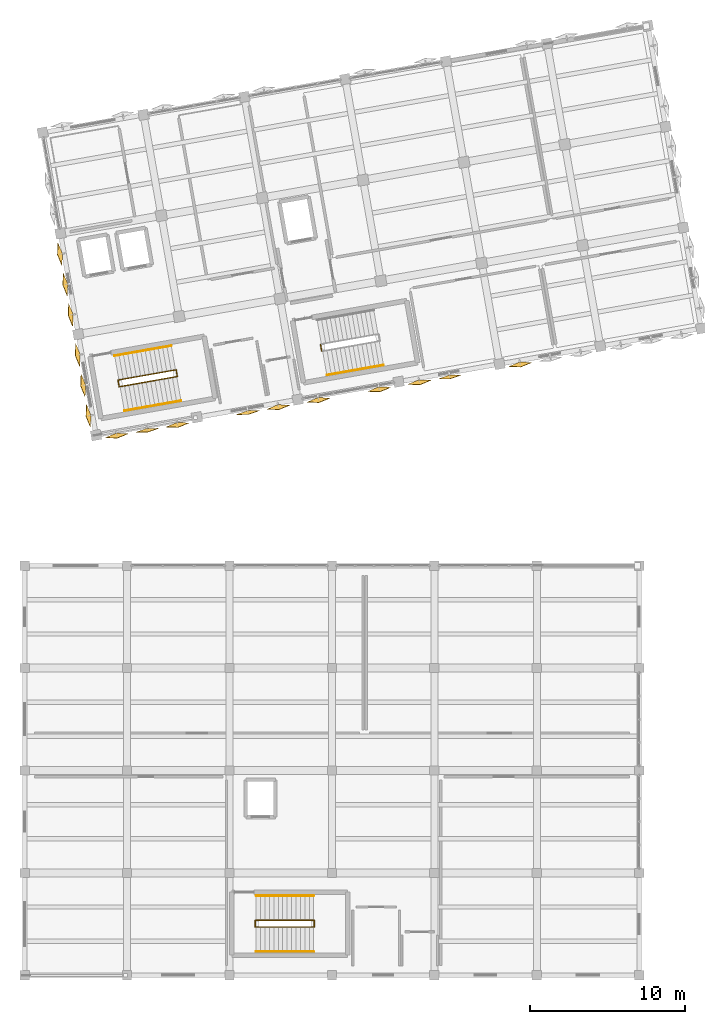
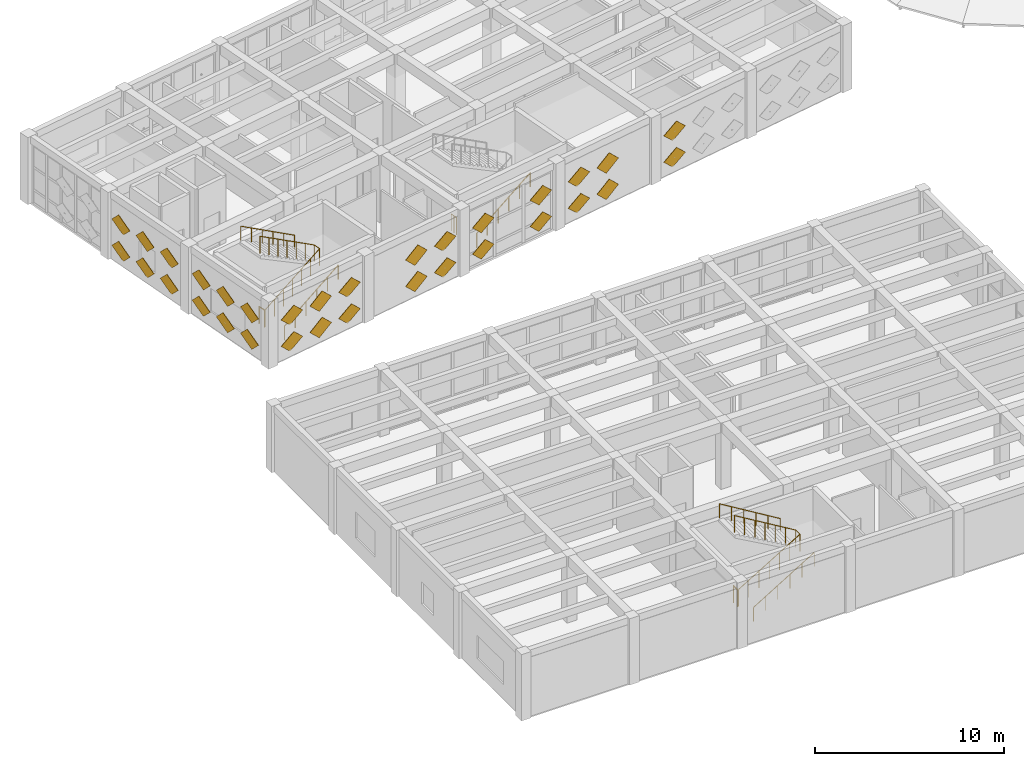
# One storey, part 64 of 67: 32 coverings, 10 railings.
"""IFC4 building model written with IfcOpenShell, lengths in metres."""

from ifc_helpers import new_model, si_unit, direction, frame, origin, origin_2d, place, context, subcontext, project, spatial, polyline, circle, outline, extrude, material, type_object, element, save


model = new_model("IFC4")

# Units and contexts
model_context = context("Model", 3, precision=1e-05, world=origin(), true_north=direction((0.0, 1.0)))
body_context = subcontext(model_context, "Body", "Model", "MODEL_VIEW")
ifc_project = project(units=[si_unit("LENGTHUNIT", "METRE"), si_unit("AREAUNIT", "SQUARE_METRE"), si_unit("VOLUMEUNIT", "CUBIC_METRE"), si_unit("PLANEANGLEUNIT", "RADIAN"), si_unit("MASSUNIT", "GRAM", prefix="KILO")], contexts=[model_context])

# Site, building, storey
site_placement = place(None, origin())
site = spatial("IfcSite", under=ifc_project, at=site_placement, CompositionType="ELEMENT")
building_placement = place(site_placement, origin())
building = spatial("IfcBuilding", under=site, at=building_placement, Name="Kharisveld Research Institute", CompositionType="ELEMENT")
storey_placement = place(building_placement, frame((0.0, 0.0, 9.60009765625)))
storey = spatial("IfcBuildingStorey", under=building, at=storey_placement, Name="L02", CompositionType="ELEMENT", Elevation=9.60009765625)

# Railings
ifc_material_1 = material(Name="Steel S355JR", Category="steel")
railing_type_1 = type_object("IfcRailingType", Name="RL_GRD_STR", PredefinedType="GUARDRAIL", material=ifc_material_1)
railing_1_placement = place(storey_placement, frame((6.75048828125, 38.13671875, 0.0)))
element("IfcRailing", 1, at=railing_1_placement, inside=storey, type_object=railing_type_1, Name="RLG:ST1:L02:GRD_SLOT", PredefinedType="GUARDRAIL", context=body_context, shape_type="SweptSolid", body=[
    extrude(circle(Radius=0.02392578125, at=origin_2d()), frame((0.0, 0.0, 1.09619140625), z_axis=(0.84417332575, 0.148863291176, 0.514986520826), x_axis=(-0.173662611611, 0.984805207809, 0.0)), (0.0, 0.0, 1.0), 4.369140625),
    extrude(circle(Radius=0.02392578125, at=origin_2d()), frame((3.688232421875, 0.650390625, 3.34619140625), z_axis=(-0.173658729201, 0.984805892434, 0.0), x_axis=(-0.984805892434, -0.173658729201, 0.0)), (0.0, 0.0, 1.0), 0.43994140625),
    extrude(circle(Radius=0.02392578125, at=origin_2d()), frame((3.61181640625, 1.083740234375, 3.34619140625), z_axis=(-0.844157266411, -0.148870313632, 0.515010814726), x_axis=(0.173673761132, -0.984803241614, 0.0)), (0.0, 0.0, 1.0), 4.368896484375),
    extrude(circle(Radius=0.02099609375, at=origin_2d()), origin(), (0.0, 0.0, 1.0), 1.072021484375),
    extrude(circle(Radius=0.02099609375, at=origin_2d()), frame((0.61474609375, 0.1083984375, 0.375)), (0.0, 0.0, 1.0), 1.072021484375),
    extrude(circle(Radius=0.02099609375, at=origin_2d()), frame((1.2294921875, 0.216796875, 0.75)), (0.0, 0.0, 1.0), 1.072021484375),
    extrude(circle(Radius=0.02099609375, at=origin_2d()), frame((1.84423828125, 0.3251953125, 1.125)), (0.0, 0.0, 1.0), 1.072021484375),
    extrude(circle(Radius=0.02099609375, at=origin_2d()), frame((2.458740234375, 0.43359375, 1.5)), (0.0, 0.0, 1.0), 1.072021484375),
    extrude(circle(Radius=0.02099609375, at=origin_2d()), frame((3.073486328125, 0.5419921875, 1.875)), (0.0, 0.0, 1.0), 1.072021484375),
    extrude(circle(Radius=0.02099609375, at=origin_2d()), frame((3.688232421875, 0.650390625, 2.25)), (0.0, 0.0, 1.0), 1.072021484375),
    extrude(circle(Radius=0.02099609375, at=origin_2d()), frame((3.61181640625, 1.083740234375, 2.25)), (0.0, 0.0, 1.0), 1.072021484375),
    extrude(circle(Radius=0.02099609375, at=origin_2d()), frame((2.9970703125, 0.975341796875, 2.625)), (0.0, 0.0, 1.0), 1.072021484375),
    extrude(circle(Radius=0.02099609375, at=origin_2d()), frame((2.382568359375, 0.866943359375, 3.0)), (0.0, 0.0, 1.0), 1.072021484375),
    extrude(circle(Radius=0.02099609375, at=origin_2d()), frame((1.767822265625, 0.758544921875, 3.375)), (0.0, 0.0, 1.0), 1.072021484375),
    extrude(circle(Radius=0.02099609375, at=origin_2d()), frame((1.153076171875, 0.650146484375, 3.75)), (0.0, 0.0, 1.0), 1.072021484375),
    extrude(circle(Radius=0.02099609375, at=origin_2d()), frame((0.53857421875, 0.541748046875, 4.125)), (0.0, 0.0, 1.0), 1.072021484375),
    extrude(circle(Radius=0.02099609375, at=origin_2d()), frame((-0.076171875, 0.433349609375, 4.5)), (0.0, 0.0, 1.0), 1.072021484375),
])
railing_2_placement = place(storey_placement, frame((6.69140625, 38.12646484375, 0.0)))
element("IfcRailing", 2, at=railing_2_placement, inside=storey, type_object=railing_type_1, Name="RLG:ST1:L02:GRD_FLRSLOT", PredefinedType="GUARDRAIL", context=body_context, shape_type="SweptSolid", body=[
    extrude(circle(Radius=0.02392578125, at=origin_2d()), frame((0.0, 0.0, 1.09619140625), z_axis=(-0.173753665698, 0.984789146801, 0.0), x_axis=(-0.984789146801, -0.173753665698, 0.0)), (0.0, 0.0, 1.0), 0.439697265625),
    extrude(circle(Radius=0.02099609375, at=origin_2d()), origin(), (0.0, 0.0, 1.0), 1.072021484375),
    extrude(circle(Radius=0.02099609375, at=origin_2d()), frame((-0.076416015625, 0.43310546875, 0.0)), (0.0, 0.0, 1.0), 1.072021484375),
])
railing_3_placement = place(storey_placement, frame((19.740234375, 40.42724609375, 0.0)))
element("IfcRailing", 3, at=railing_3_placement, inside=storey, type_object=railing_type_1, Name="RLG:ST2:L02:GRD_FLRSLOT", PredefinedType="GUARDRAIL", context=body_context, shape_type="SweptSolid", body=[
    extrude(circle(Radius=0.02392578125, at=origin_2d()), frame((0.0, 0.0, 1.09619140625), z_axis=(-0.173658729201, 0.984805892434, 0.0), x_axis=(-0.984805892434, -0.173658729201, 0.0)), (0.0, 0.0, 1.0), 0.43994140625),
    extrude(circle(Radius=0.02099609375, at=origin_2d()), origin(), (0.0, 0.0, 1.0), 1.072021484375),
    extrude(circle(Radius=0.02099609375, at=origin_2d()), frame((-0.0380859375, 0.216796875, 0.0)), (0.0, 0.0, 1.0), 1.072021484375),
    extrude(circle(Radius=0.02099609375, at=origin_2d()), frame((-0.076416015625, 0.433349609375, 0.0)), (0.0, 0.0, 1.0), 1.072021484375),
])
railing_4_placement = place(storey_placement, frame((15.52001953125, 3.31005859375, 0.0)))
element("IfcRailing", 4, at=railing_4_placement, inside=storey, type_object=railing_type_1, Name="RLG:ST4:L02:GRD_SLOT", PredefinedType="GUARDRAIL", context=body_context, shape_type="SweptSolid", body=[
    extrude(circle(Radius=0.02392578125, at=origin_2d()), frame((0.0, 0.0, 1.09619140625), z_axis=(0.857182128291, 0.0, 0.515013396853), x_axis=(0.0, 1.0, 0.0)), (0.0, 0.0, 1.0), 4.368896484375),
    extrude(circle(Radius=0.02392578125, at=origin_2d()), frame((3.744873046875, 0.0, 3.34619140625), z_axis=(0.0, 1.0, 0.0), x_axis=(-1.0, 0.0, 0.0)), (0.0, 0.0, 1.0), 0.43994140625),
    extrude(circle(Radius=0.02392578125, at=origin_2d()), frame((3.744873046875, 0.43994140625, 3.34619140625), z_axis=(-0.857182128291, 0.0, 0.515013396853), x_axis=(0.0, -1.0, 0.0)), (0.0, 0.0, 1.0), 4.368896484375),
    extrude(circle(Radius=0.02099609375, at=origin_2d()), origin(), (0.0, 0.0, 1.0), 1.072021484375),
    extrude(circle(Radius=0.02099609375, at=origin_2d()), frame((0.6240234375, 0.0, 0.375)), (0.0, 0.0, 1.0), 1.072021484375),
    extrude(circle(Radius=0.02099609375, at=origin_2d()), frame((1.248291015625, 0.0, 0.75)), (0.0, 0.0, 1.0), 1.072021484375),
    extrude(circle(Radius=0.02099609375, at=origin_2d()), frame((1.87255859375, 0.0, 1.125)), (0.0, 0.0, 1.0), 1.072021484375),
    extrude(circle(Radius=0.02099609375, at=origin_2d()), frame((2.49658203125, 0.0, 1.5)), (0.0, 0.0, 1.0), 1.072021484375),
    extrude(circle(Radius=0.02099609375, at=origin_2d()), frame((3.12060546875, 0.0, 1.875)), (0.0, 0.0, 1.0), 1.072021484375),
    extrude(circle(Radius=0.02099609375, at=origin_2d()), frame((3.744873046875, 0.0, 2.25)), (0.0, 0.0, 1.0), 1.072021484375),
    extrude(circle(Radius=0.02099609375, at=origin_2d()), frame((3.744873046875, 0.43994140625, 2.25)), (0.0, 0.0, 1.0), 1.072021484375),
    extrude(circle(Radius=0.02099609375, at=origin_2d()), frame((3.12060546875, 0.43994140625, 2.625)), (0.0, 0.0, 1.0), 1.072021484375),
    extrude(circle(Radius=0.02099609375, at=origin_2d()), frame((2.49658203125, 0.43994140625, 3.0)), (0.0, 0.0, 1.0), 1.072021484375),
    extrude(circle(Radius=0.02099609375, at=origin_2d()), frame((1.87255859375, 0.43994140625, 3.375)), (0.0, 0.0, 1.0), 1.072021484375),
    extrude(circle(Radius=0.02099609375, at=origin_2d()), frame((1.248291015625, 0.43994140625, 3.75)), (0.0, 0.0, 1.0), 1.072021484375),
    extrude(circle(Radius=0.02099609375, at=origin_2d()), frame((0.6240234375, 0.43994140625, 4.125)), (0.0, 0.0, 1.0), 1.072021484375),
    extrude(circle(Radius=0.02099609375, at=origin_2d()), frame((0.0, 0.43994140625, 4.5)), (0.0, 0.0, 1.0), 1.072021484375),
])
railing_5_placement = place(storey_placement, frame((15.4599609375, 3.31005859375, 0.0)))
element("IfcRailing", 5, at=railing_5_placement, inside=storey, type_object=railing_type_1, Name="RLG:ST4:L02:GRD_FLRSLOT", PredefinedType="GUARDRAIL", context=body_context, shape_type="SweptSolid", body=[
    extrude(circle(Radius=0.02392578125, at=origin_2d()), frame((0.0, 0.0, 1.09619140625), z_axis=(0.0, 1.0, 0.0), x_axis=(-1.0, 0.0, 0.0)), (0.0, 0.0, 1.0), 0.43994140625),
    extrude(circle(Radius=0.02099609375, at=origin_2d()), origin(), (0.0, 0.0, 1.0), 1.072021484375),
    extrude(circle(Radius=0.02099609375, at=origin_2d()), frame((0.0, 0.43994140625, 0.0)), (0.0, 0.0, 1.0), 1.072021484375),
])
ifc_material_2 = material(Name="Stainless Steel 316", Category="steel")
railing_type_2 = type_object("IfcRailingType", Name="RL_HND_STR", PredefinedType="HANDRAIL", material=ifc_material_2)
railing_6_placement = place(storey_placement, frame((7.02490234375, 36.580810546875, 0.0)))
element("IfcRailing", 6, at=railing_6_placement, inside=storey, type_object=railing_type_2, Name="RLG:ST1:L02:HR1", PredefinedType="HANDRAIL", context=body_context, shape_type="SweptSolid", body=[
    extrude(circle(Radius=0.02392578125, at=origin_2d()), frame((0.0, 0.0, 0.89599609375), z_axis=(0.841746897377, 0.148411045473, 0.519072559801), x_axis=(-0.173634966033, 0.984810082488, 0.0)), (0.0, 0.0, 1.0), 4.334716796875),
    extrude(circle(Radius=0.02099609375, at=origin_2d()), origin(), (0.0, 0.0, 1.0), 0.871826171875),
    extrude(circle(Radius=0.02099609375, at=origin_2d()), frame((0.729736328125, 0.128662109375, 0.449951171875)), (0.0, 0.0, 1.0), 0.871826171875),
    extrude(circle(Radius=0.02099609375, at=origin_2d()), frame((1.45947265625, 0.25732421875, 0.89990234375)), (0.0, 0.0, 1.0), 0.871826171875),
    extrude(circle(Radius=0.02099609375, at=origin_2d()), frame((2.189208984375, 0.385986328125, 1.35009765625)), (0.0, 0.0, 1.0), 0.871826171875),
    extrude(circle(Radius=0.02099609375, at=origin_2d()), frame((2.9189453125, 0.5146484375, 1.800048828125)), (0.0, 0.0, 1.0), 0.871826171875),
    extrude(circle(Radius=0.02099609375, at=origin_2d()), frame((3.648681640625, 0.643310546875, 2.25)), (0.0, 0.0, 1.0), 0.871826171875),
])
railing_7_placement = place(storey_placement, frame((10.048583984375, 40.76953125, 2.25)))
element("IfcRailing", 7, at=railing_7_placement, inside=storey, type_object=railing_type_2, Name="RLG:ST1:L02:HR2", PredefinedType="HANDRAIL", context=body_context, shape_type="SweptSolid", body=[
    extrude(circle(Radius=0.02392578125, at=origin_2d()), frame((0.0, 0.0, 0.89599609375), z_axis=(-0.841739860008, -0.148466127198, 0.519068220129), x_axis=(0.173698873865, -0.984798812559, 0.0)), (0.0, 0.0, 1.0), 4.334716796875),
    extrude(circle(Radius=0.02099609375, at=origin_2d()), origin(), (0.0, 0.0, 1.0), 0.871826171875),
    extrude(circle(Radius=0.02099609375, at=origin_2d()), frame((-0.729736328125, -0.128662109375, 0.449951171875)), (0.0, 0.0, 1.0), 0.871826171875),
    extrude(circle(Radius=0.02099609375, at=origin_2d()), frame((-1.45947265625, -0.25732421875, 0.89990234375)), (0.0, 0.0, 1.0), 0.871826171875),
    extrude(circle(Radius=0.02099609375, at=origin_2d()), frame((-2.189208984375, -0.38623046875, 1.35009765625)), (0.0, 0.0, 1.0), 0.871826171875),
    extrude(circle(Radius=0.02099609375, at=origin_2d()), frame((-2.9189453125, -0.514892578125, 1.800048828125)), (0.0, 0.0, 1.0), 0.871826171875),
    extrude(circle(Radius=0.02099609375, at=origin_2d()), frame((-3.648681640625, -0.6435546875, 2.25)), (0.0, 0.0, 1.0), 0.871826171875),
])
railing_8_placement = place(storey_placement, frame((20.07373046875, 38.881591796875, 0.0)))
element("IfcRailing", 8, at=railing_8_placement, inside=storey, type_object=railing_type_2, Name="RLG:ST2:L02:HR1", PredefinedType="HANDRAIL", context=body_context, shape_type="SweptSolid", body=[
    extrude(circle(Radius=0.02392578125, at=origin_2d()), frame((0.0, 0.0, 0.89599609375), z_axis=(0.841746897377, 0.148411045473, 0.519072559801), x_axis=(-0.173634966033, 0.984810082488, 0.0)), (0.0, 0.0, 1.0), 4.334716796875),
    extrude(circle(Radius=0.02099609375, at=origin_2d()), origin(), (0.0, 0.0, 1.0), 0.871826171875),
    extrude(circle(Radius=0.02099609375, at=origin_2d()), frame((0.729736328125, 0.128662109375, 0.449951171875)), (0.0, 0.0, 1.0), 0.871826171875),
    extrude(circle(Radius=0.02099609375, at=origin_2d()), frame((1.45947265625, 0.25732421875, 0.89990234375)), (0.0, 0.0, 1.0), 0.871826171875),
    extrude(circle(Radius=0.02099609375, at=origin_2d()), frame((2.189208984375, 0.385986328125, 1.35009765625)), (0.0, 0.0, 1.0), 0.871826171875),
    extrude(circle(Radius=0.02099609375, at=origin_2d()), frame((2.9189453125, 0.5146484375, 1.800048828125)), (0.0, 0.0, 1.0), 0.871826171875),
    extrude(circle(Radius=0.02099609375, at=origin_2d()), frame((3.648681640625, 0.643310546875, 2.25)), (0.0, 0.0, 1.0), 0.871826171875),
])
railing_9_placement = place(storey_placement, frame((15.52001953125, 1.72998046875, 0.0)))
element("IfcRailing", 9, at=railing_9_placement, inside=storey, type_object=railing_type_2, Name="RLG:ST4:L02:HR1", PredefinedType="HANDRAIL", context=body_context, shape_type="SweptSolid", body=[
    extrude(circle(Radius=0.02392578125, at=origin_2d()), frame((0.0, 0.0, 0.89599609375), z_axis=(0.854737540875, 0.0, 0.519060435998), x_axis=(0.0, 1.0, 0.0)), (0.0, 0.0, 1.0), 4.334716796875),
    extrude(circle(Radius=0.02099609375, at=origin_2d()), origin(), (0.0, 0.0, 1.0), 0.871826171875),
    extrude(circle(Radius=0.02099609375, at=origin_2d()), frame((0.740966796875, 0.0, 0.449951171875)), (0.0, 0.0, 1.0), 0.871826171875),
    extrude(circle(Radius=0.02099609375, at=origin_2d()), frame((1.48193359375, 0.0, 0.89990234375)), (0.0, 0.0, 1.0), 0.871826171875),
    extrude(circle(Radius=0.02099609375, at=origin_2d()), frame((2.22314453125, 0.0, 1.35009765625)), (0.0, 0.0, 1.0), 0.871826171875),
    extrude(circle(Radius=0.02099609375, at=origin_2d()), frame((2.964111328125, 0.0, 1.800048828125)), (0.0, 0.0, 1.0), 0.871826171875),
    extrude(circle(Radius=0.02099609375, at=origin_2d()), frame((3.705078125, 0.0, 2.25)), (0.0, 0.0, 1.0), 0.871826171875),
])
railing_10_placement = place(storey_placement, frame((19.22509765625, 5.330078125, 2.25)))
element("IfcRailing", 10, at=railing_10_placement, inside=storey, type_object=railing_type_2, Name="RLG:ST4:L02:HR2", PredefinedType="HANDRAIL", context=body_context, shape_type="SweptSolid", body=[
    extrude(circle(Radius=0.02392578125, at=origin_2d()), frame((0.0, 0.0, 0.89599609375), z_axis=(-0.854737540875, 0.0, 0.519060435998), x_axis=(0.0, -1.0, 0.0)), (0.0, 0.0, 1.0), 4.334716796875),
    extrude(circle(Radius=0.02099609375, at=origin_2d()), origin(), (0.0, 0.0, 1.0), 0.871826171875),
    extrude(circle(Radius=0.02099609375, at=origin_2d()), frame((-0.740966796875, 0.0, 0.449951171875)), (0.0, 0.0, 1.0), 0.871826171875),
    extrude(circle(Radius=0.02099609375, at=origin_2d()), frame((-1.48193359375, 0.0, 0.89990234375)), (0.0, 0.0, 1.0), 0.871826171875),
    extrude(circle(Radius=0.02099609375, at=origin_2d()), frame((-2.22314453125, 0.0, 1.35009765625)), (0.0, 0.0, 1.0), 0.871826171875),
    extrude(circle(Radius=0.02099609375, at=origin_2d()), frame((-2.964111328125, 0.0, 1.800048828125)), (0.0, 0.0, 1.0), 0.871826171875),
    extrude(circle(Radius=0.02099609375, at=origin_2d()), frame((-3.705078125, 0.0, 2.25)), (0.0, 0.0, 1.0), 0.871826171875),
])

# Coverings
ifc_material_3 = material(Name="White Powder-Coated Perforated Aluminium", Category="aluminium")
covering_type = type_object("IfcCoveringType", Name="CV_DIA_105", PredefinedType="CLADDING")
for number, where, z_axis, x_axis, name in (
    (11, (4.874267578125, 36.2861328125, 0.324951171875), (0.961447488939, 0.169497253476, 0.216539620108), (-0.273555095257, 0.669826337005, 0.690290002907), "SHD:V1:L02:W0:S0C0"),
    (12, (4.874267578125, 36.2861328125, 2.025146484375), (0.961447488939, 0.169497253476, 0.216539620108), (-0.273555095257, 0.669826337005, 0.690290002907), "SHD:V1:L02:W0:S0C1"),
):
    element("IfcCovering", number, at=place(storey_placement, frame(where, z_axis=z_axis, x_axis=x_axis)), inside=storey, type_object=covering_type, material=ifc_material_3, Name=name, PredefinedType="CLADDING", context=body_context, shape_type="SweptSolid", body=[
        extrude(outline(polyline([(0.0, 0.0), (1.0501013287743868, 0.0), (1.0498908116789152, 1.0501299715118642), (1.9800637014233402e-05, 1.0499603251677767), (0.0, 0.0)])), origin(), (0.0, 0.0, -1.0), 0.02392578125),
    ])
for number, where, z_axis, x_axis, name in (
    (13, (4.529052734375, 38.24267578125, 0.324951171875), (0.961476347302, 0.169530643305, 0.21638529192), (-0.273471090272, 0.669725119033, 0.690421485559), "SHD:V1:L02:W0:S1C0"),
    (14, (4.529052734375, 38.24267578125, 2.025146484375), (0.961476347302, 0.169530643305, 0.21638529192), (-0.273471090272, 0.669725119033, 0.690421485559), "SHD:V1:L02:W0:S1C1"),
):
    element("IfcCovering", number, at=place(storey_placement, frame(where, z_axis=z_axis, x_axis=x_axis)), inside=storey, type_object=covering_type, material=ifc_material_3, Name=name, PredefinedType="CLADDING", context=body_context, shape_type="SweptSolid", body=[
        extrude(outline(polyline([(0.0, 0.0), (1.0498710291992122, 0.0), (1.0499937163043682, 1.0499534820137317), (0.00012268710515594972, 1.049953482013732), (0.0, 0.0)])), origin(), (0.0, 0.0, -1.0), 0.02392578125),
    ])
for number, where, z_axis, x_axis, name in (
    (15, (4.18408203125, 40.19921875, 0.324951171875), (0.961481187298, 0.169503194288, 0.216385289699), (-0.273452141042, 0.669728459805, 0.690425750307), "SHD:V1:L02:W0:S2C0"),
    (16, (4.18408203125, 40.19921875, 2.025146484375), (0.961481187298, 0.169503194288, 0.216385289699), (-0.273452141042, 0.669728459805, 0.690425750307), "SHD:V1:L02:W0:S2C1"),
):
    element("IfcCovering", number, at=place(storey_placement, frame(where, z_axis=z_axis, x_axis=x_axis)), inside=storey, type_object=covering_type, material=ifc_material_3, Name=name, PredefinedType="CLADDING", context=body_context, shape_type="SweptSolid", body=[
        extrude(outline(polyline([(0.0, 0.0), (1.0498710289953155, -1.1102230246251565e-16), (1.0499937165082887, 1.0499534818098035), (-4.082041178410378e-05, 1.0501299960653954), (0.0, 0.0)])), origin(), (0.0, 0.0, -1.0), 0.02392578125),
    ])
for number, where, z_axis, x_axis, name in (
    (17, (3.72802734375, 42.785888671875, 0.324951171875), (0.961481187298, 0.169503194288, 0.216385289699), (-0.273447448775, 0.669849989418, 0.690309701826), "SHD:V1:L02:W1:S0C0"),
    (18, (3.72802734375, 42.785888671875, 2.025146484375), (0.961481187298, 0.169503194288, 0.216385289699), (-0.273447448775, 0.669849989418, 0.690309701826), "SHD:V1:L02:W1:S0C1"),
):
    element("IfcCovering", number, at=place(storey_placement, frame(where, z_axis=z_axis, x_axis=x_axis)), inside=storey, type_object=covering_type, material=ifc_material_3, Name=name, PredefinedType="CLADDING", context=body_context, shape_type="SweptSolid", body=[
        extrude(outline(polyline([(0.0, 0.0), (1.0500345517563856, -1.1102230246251565e-16), (1.0498172010450848, 1.0501299743656882), (-5.381311622809637e-05, 1.0499534875988095), (0.0, 0.0)])), origin(), (0.0, 0.0, -1.0), 0.02392578125),
    ])
for number, where, z_axis, x_axis, name in (
    (19, (3.383056640625, 44.742431640625, 0.324951171875), (0.961481187298, 0.169503194288, 0.216385289699), (-0.273452141042, 0.669728459805, 0.690425750307), "SHD:V1:L02:W1:S1C0"),
    (20, (3.383056640625, 44.742431640625, 2.025146484375), (0.961481187298, 0.169503194288, 0.216385289699), (-0.273452141042, 0.669728459805, 0.690425750307), "SHD:V1:L02:W1:S1C1"),
):
    element("IfcCovering", number, at=place(storey_placement, frame(where, z_axis=z_axis, x_axis=x_axis)), inside=storey, type_object=covering_type, material=ifc_material_3, Name=name, PredefinedType="CLADDING", context=body_context, shape_type="SweptSolid", body=[
        extrude(outline(polyline([(0.0, 0.0), (1.0498710289953155, -1.1102230246251565e-16), (1.0499937165082887, 1.0499534818098035), (-4.082041178410378e-05, 1.0501299960653954), (0.0, 0.0)])), origin(), (0.0, 0.0, -1.0), 0.02392578125),
    ])
for number, where, z_axis, x_axis, name in (
    (21, (3.0380859375, 46.69873046875, 0.324951171875), (0.961487125864, 0.169504241221, 0.216358080518), (-0.27342850239, 0.669853329409, 0.690313965642), "SHD:V1:L02:W1:S2C0"),
    (22, (3.0380859375, 46.69873046875, 2.025146484375), (0.961487125864, 0.169504241221, 0.216358080518), (-0.27342850239, 0.669853329409, 0.690313965642), "SHD:V1:L02:W1:S2C1"),
):
    element("IfcCovering", number, at=place(storey_placement, frame(where, z_axis=z_axis, x_axis=x_axis)), inside=storey, type_object=covering_type, material=ifc_material_3, Name=name, PredefinedType="CLADDING", context=body_context, shape_type="SweptSolid", body=[
        extrude(outline(polyline([(0.0, 0.0), (1.0500345519602505, 0.0), (1.0499807392517624, 1.0499534878027108), (-5.381270848814346e-05, 1.049953487802711), (0.0, 0.0)])), origin(), (0.0, 0.0, -1.0), 0.02392578125),
    ])
for number, where, z_axis, x_axis, name in (
    (23, (32.509521484375, 39.724609375, 0.324951171875), (-0.169497253476, 0.961447488939, 0.216539620108), (-0.669831050307, -0.273554912423, 0.690285501755), "SHD:V1:L02:S5:S2C0"),
    (24, (32.509521484375, 39.724609375, 2.025146484375), (-0.169497253476, 0.961447488939, 0.216539620108), (-0.669831050307, -0.273554912423, 0.690285501755), "SHD:V1:L02:S5:S2C1"),
):
    element("IfcCovering", number, at=place(storey_placement, frame(where, z_axis=z_axis, x_axis=x_axis)), inside=storey, type_object=covering_type, material=ifc_material_3, Name=name, PredefinedType="CLADDING", context=body_context, shape_type="SweptSolid", body=[
        extrude(outline(polyline([(0.0, 0.0), (1.0500345428847768, 1.1102230246251565e-16), (1.0498839649209004, 1.0501368166659475), (-5.383085990073866e-05, 1.0499534787256062), (0.0, 0.0)])), origin(), (0.0, 0.0, -1.0), 0.02392578125),
    ])
covering_1_placement = place(storey_placement, frame((27.972900390625, 38.885986328125, 0.317626953125), z_axis=(-0.171234061711, 0.9712992705, 0.165095800177), x_axis=(-0.676173830196, -0.2377336742, 0.697331808761)))
element("IfcCovering", 25, at=covering_1_placement, inside=storey, type_object=covering_type, material=ifc_material_3, Name="SHD:V1:L02:S4:S1C0", PredefinedType="CLADDING", context=body_context, shape_type="SweptSolid", body=[
    extrude(outline(polyline([(0.0, 0.0), (1.0500032083471293, -1.1102230246251565e-16), (1.0499897163291267, 1.0500851186270816), (-0.00012569859382338677, 1.049912938756706), (0.0, 0.0)])), origin(), (0.0, 0.0, -1.0), 0.02392578125),
])
covering_2_placement = place(storey_placement, frame((27.972900390625, 38.885986328125, 2.017578125), z_axis=(-0.171234061711, 0.9712992705, 0.165095800177), x_axis=(-0.676057632461, -0.237732410628, 0.697444892825)))
element("IfcCovering", 26, at=covering_2_placement, inside=storey, type_object=covering_type, material=ifc_material_3, Name="SHD:V1:L02:S4:S1C1", PredefinedType="CLADDING", context=body_context, shape_type="SweptSolid", body=[
    extrude(outline(polyline([(0.0, 0.0), (1.050173469176079, 1.1102230246251565e-16), (1.0501599702440891, 1.049914852574201), (0.0002148158393612265, 1.050083199772804), (0.0, 0.0)])), origin(), (0.0, 0.0, -1.0), 0.02392578125),
])
for number, where, z_axis, x_axis, name in (
    (27, (26.009765625, 38.57861328125, 0.324951171875), (-0.16952470156, 0.961442649282, 0.216539621552), (-0.669701468459, -0.273578752319, 0.690401773914), "SHD:V1:L02:S4:S2C0"),
    (28, (26.009765625, 38.57861328125, 2.025146484375), (-0.16952470156, 0.961442649282, 0.216539621552), (-0.669701468459, -0.273578752319, 0.690401773914), "SHD:V1:L02:S4:S2C1"),
):
    element("IfcCovering", number, at=place(storey_placement, frame(where, z_axis=z_axis, x_axis=x_axis)), inside=storey, type_object=covering_type, material=ifc_material_3, Name=name, PredefinedType="CLADDING", context=body_context, shape_type="SweptSolid", body=[
        extrude(outline(polyline([(0.0, 0.0), (1.0499378143046156, 0.0), (1.0500673190877523, 1.04995347463551), (0.0001962964707143966, 1.0499603048962165), (0.0, 0.0)])), origin(), (0.0, 0.0, -1.0), 0.02392578125),
    ])
for number, where, z_axis, x_axis, name in (
    (29, (23.423095703125, 38.122314453125, 0.324951171875), (-0.169504241221, 0.961487125864, 0.216358080518), (-0.669853329409, -0.27342850239, 0.690313965642), "SHD:V1:L02:S3:S0C0"),
    (30, (23.423095703125, 38.122314453125, 2.025146484375), (-0.169504241221, 0.961487125864, 0.216358080518), (-0.669853329409, -0.27342850239, 0.690313965642), "SHD:V1:L02:S3:S0C1"),
):
    element("IfcCovering", number, at=place(storey_placement, frame(where, z_axis=z_axis, x_axis=x_axis)), inside=storey, type_object=covering_type, material=ifc_material_3, Name=name, PredefinedType="CLADDING", context=body_context, shape_type="SweptSolid", body=[
        extrude(outline(polyline([(0.0, 0.0), (1.0500345519602505, 0.0), (1.0499807392517624, 1.0499534878027108), (-5.381270848814346e-05, 1.049953487802711), (0.0, 0.0)])), origin(), (0.0, 0.0, -1.0), 0.02392578125),
    ])
for number, where, z_axis, x_axis, name in (
    (31, (19.510009765625, 37.432373046875, 0.324951171875), (-0.169503194288, 0.961481187298, 0.216385289699), (-0.669728459805, -0.273452141042, 0.690425750307), "SHD:V1:L02:S3:S2C0"),
    (32, (19.510009765625, 37.432373046875, 2.025146484375), (-0.169503194288, 0.961481187298, 0.216385289699), (-0.669728459805, -0.273452141042, 0.690425750307), "SHD:V1:L02:S3:S2C1"),
):
    element("IfcCovering", number, at=place(storey_placement, frame(where, z_axis=z_axis, x_axis=x_axis)), inside=storey, type_object=covering_type, material=ifc_material_3, Name=name, PredefinedType="CLADDING", context=body_context, shape_type="SweptSolid", body=[
        extrude(outline(polyline([(0.0, 0.0), (1.0498710289953155, -1.1102230246251565e-16), (1.0499937165082887, 1.0499534818098035), (-4.082041178410378e-05, 1.0501299960653954), (0.0, 0.0)])), origin(), (0.0, 0.0, -1.0), 0.02392578125),
    ])
for number, where, z_axis, x_axis, name in (
    (33, (16.92333984375, 36.976318359375, 0.324951171875), (-0.169503194288, 0.961481187298, 0.216385289699), (-0.669849989418, -0.273447448775, 0.690309701826), "SHD:V1:L02:S2:S0C0"),
    (34, (16.92333984375, 36.976318359375, 2.025146484375), (-0.169503194288, 0.961481187298, 0.216385289699), (-0.669849989418, -0.273447448775, 0.690309701826), "SHD:V1:L02:S2:S0C1"),
):
    element("IfcCovering", number, at=place(storey_placement, frame(where, z_axis=z_axis, x_axis=x_axis)), inside=storey, type_object=covering_type, material=ifc_material_3, Name=name, PredefinedType="CLADDING", context=body_context, shape_type="SweptSolid", body=[
        extrude(outline(polyline([(0.0, 0.0), (1.0500345517563856, -1.1102230246251565e-16), (1.0498172010450848, 1.0501299743656882), (-5.381311622809637e-05, 1.0499534875988095), (0.0, 0.0)])), origin(), (0.0, 0.0, -1.0), 0.02392578125),
    ])
covering_3_placement = place(storey_placement, frame((14.973388671875, 36.59375, 0.317626953125), z_axis=(-0.171260983897, 0.971289803558, 0.165123568578), x_axis=(-0.67604629243, -0.23777103681, 0.697442717753)))
element("IfcCovering", 35, at=covering_3_placement, inside=storey, type_object=covering_type, material=ifc_material_3, Name="SHD:V1:L02:S2:S1C0", PredefinedType="CLADDING", context=body_context, shape_type="SweptSolid", body=[
    extrude(outline(polyline([(0.0, 0.0), (1.049780098206416, 0.0), (1.0500015424873141, 1.050083198396327), (-6.879389649716572e-06, 1.0499148526388677), (0.0, 0.0)])), origin(), (0.0, 0.0, -1.0), 0.02392578125),
])
covering_4_placement = place(storey_placement, frame((14.973388671875, 36.59375, 2.017578125), z_axis=(-0.171260983897, 0.971289803558, 0.165123568578), x_axis=(-0.675930071115, -0.237769766688, 0.697555787741)))
element("IfcCovering", 36, at=covering_4_placement, inside=storey, type_object=covering_type, material=ifc_material_3, Name="SHD:V1:L02:S2:S1C1", PredefinedType="CLADDING", context=body_context, shape_type="SweptSolid", body=[
    extrude(outline(polyline([(0.0, 0.0), (1.0499503861110382, 2.220446049250313e-16), (1.0501718035814118, 1.0499129229334039), (0.0003336699169195212, 1.0500850657008003), (0.0, 0.0)])), origin(), (0.0, 0.0, -1.0), 0.02392578125),
])
for number, where, z_axis, x_axis, name in (
    (37, (10.423583984375, 35.830322265625, 0.324951171875), (-0.169497253476, 0.961447488939, 0.216539620108), (-0.669826337005, -0.273555095257, 0.690290002907), "SHD:V1:L02:S1:S0C0"),
    (38, (10.423583984375, 35.830322265625, 2.025146484375), (-0.169497253476, 0.961447488939, 0.216539620108), (-0.669826337005, -0.273555095257, 0.690290002907), "SHD:V1:L02:S1:S0C1"),
):
    element("IfcCovering", number, at=place(storey_placement, frame(where, z_axis=z_axis, x_axis=x_axis)), inside=storey, type_object=covering_type, material=ifc_material_3, Name=name, PredefinedType="CLADDING", context=body_context, shape_type="SweptSolid", body=[
        extrude(outline(polyline([(0.0, 0.0), (1.0501013287743868, 0.0), (1.0498908116789152, 1.0501299715118642), (1.9800637014233402e-05, 1.0499603251677767), (0.0, 0.0)])), origin(), (0.0, 0.0, -1.0), 0.02392578125),
    ])
covering_5_placement = place(storey_placement, frame((8.4736328125, 35.44775390625, 0.317626953125), z_axis=(-0.171260983897, 0.971289803558, 0.165123568578), x_axis=(-0.676047594671, -0.237771051008, 0.69744145062)))
element("IfcCovering", 39, at=covering_5_placement, inside=storey, type_object=covering_type, material=ifc_material_3, Name="SHD:V1:L02:S1:S1C0", PredefinedType="CLADDING", context=body_context, shape_type="SweptSolid", body=[
    extrude(outline(polyline([(0.0, 0.0), (1.0498381477776833, -1.1102230246251565e-16), (1.0499996344353992, 1.0500851062964023), (4.926243906100414e-05, 1.0499129451252003), (0.0, 0.0)])), origin(), (0.0, 0.0, -1.0), 0.02392578125),
])
covering_6_placement = place(storey_placement, frame((8.4736328125, 35.44775390625, 2.017578125), z_axis=(-0.171260983897, 0.971289803558, 0.165123568578), x_axis=(-0.67593137977, -0.237769781024, 0.697554514769)))
element("IfcCovering", 40, at=covering_6_placement, inside=storey, type_object=covering_type, material=ifc_material_3, Name="SHD:V1:L02:S1:S1C1", PredefinedType="CLADDING", context=body_context, shape_type="SweptSolid", body=[
    extrude(outline(polyline([(0.0, 0.0), (1.0500084353722339, -1.1102230246251565e-16), (1.0501698867361986, 1.0499148402477598), (0.00038980202211746917, 1.050083149396377), (0.0, 0.0)])), origin(), (0.0, 0.0, -1.0), 0.02392578125),
])
for number, where, z_axis, x_axis, name in (
    (41, (6.5107421875, 35.140380859375, 0.324951171875), (-0.169498301082, 0.961453431325, 0.216512413788), (-0.669829678259, -0.273536150679, 0.690294267972), "SHD:V1:L02:S1:S2C0"),
    (42, (6.5107421875, 35.140380859375, 2.025146484375), (-0.169498301082, 0.961453431325, 0.216512413788), (-0.669829678259, -0.273536150679, 0.690294267972), "SHD:V1:L02:S1:S2C1"),
):
    element("IfcCovering", number, at=place(storey_placement, frame(where, z_axis=z_axis, x_axis=x_axis)), inside=storey, type_object=covering_type, material=ifc_material_3, Name=name, PredefinedType="CLADDING", context=body_context, shape_type="SweptSolid", body=[
        extrude(outline(polyline([(0.0, 0.0), (1.050101326665668, -1.1102230246251565e-16), (1.050054341798497, 1.049953481570866), (1.9796419616024963e-05, 1.0499603230588543), (0.0, 0.0)])), origin(), (0.0, 0.0, -1.0), 0.02392578125),
    ])

save(model, "model.ifc")
